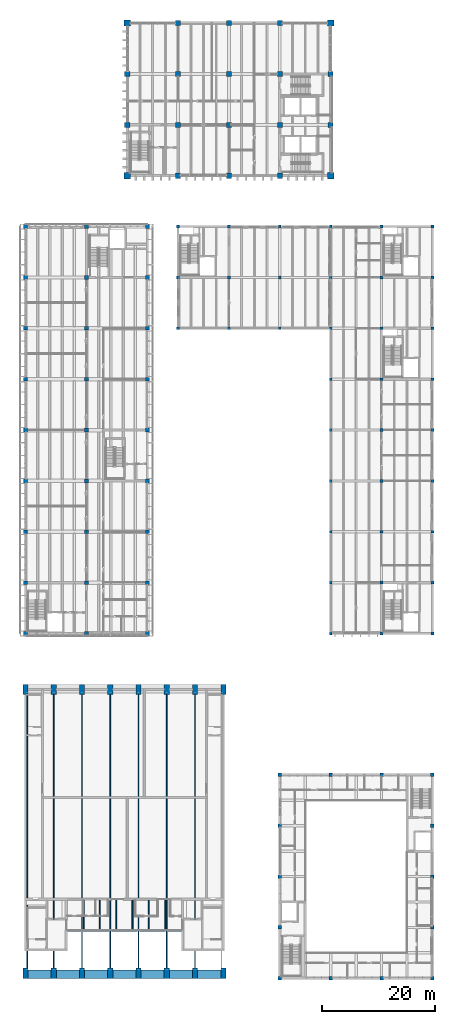
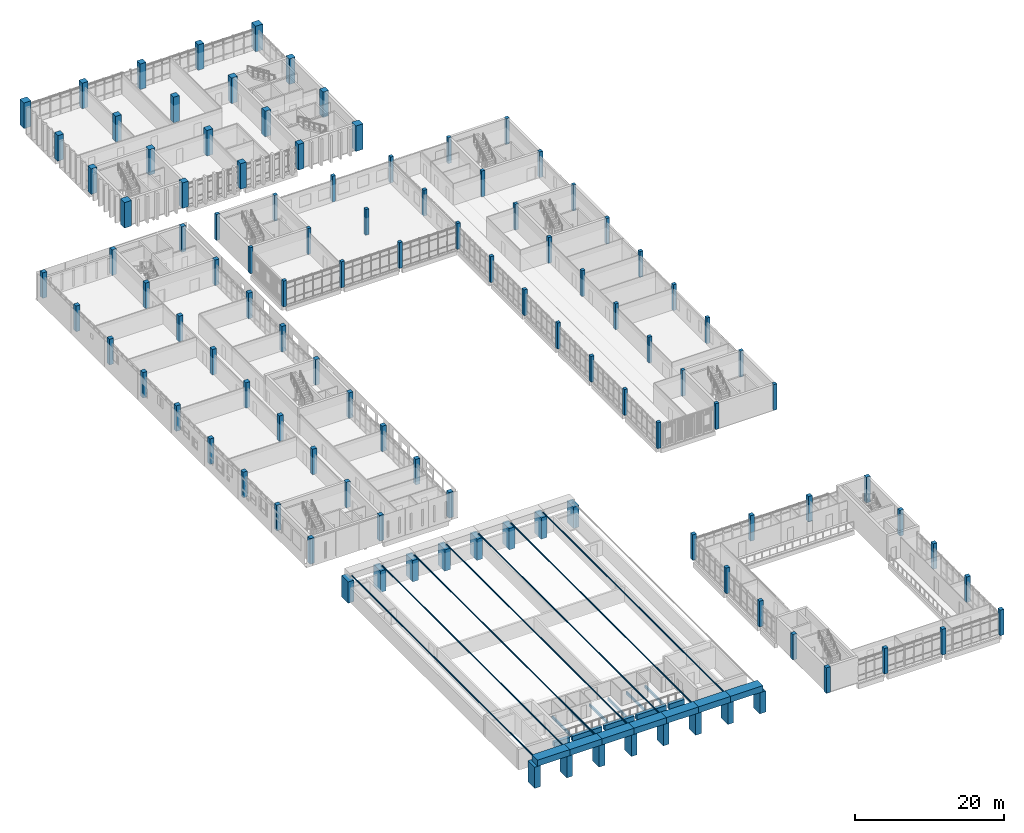
# One storey, part 1 of 92: 113 columns, 18 beams, 7 members.
"""IFC4 building model written with IfcOpenShell, lengths in metres."""

from ifc_helpers import new_model, si_unit, direction, frame, origin, origin_2d, place, context, subcontext, project, spatial, rectangle, hollow_circle, extrude, material, material_profile, profile_set, type_object, element, save


model = new_model("IFC4")

# Units and contexts
model_context = context("Model", 3, precision=1e-05, world=origin(), true_north=direction((0.0, 1.0)))
body_context = subcontext(model_context, "Body", "Model", "MODEL_VIEW")
ifc_project = project(units=[si_unit("LENGTHUNIT", "METRE"), si_unit("AREAUNIT", "SQUARE_METRE"), si_unit("VOLUMEUNIT", "CUBIC_METRE"), si_unit("PLANEANGLEUNIT", "RADIAN"), si_unit("MASSUNIT", "GRAM", prefix="KILO")], contexts=[model_context])

# Site, building, storey
site_placement = place(None, origin())
site = spatial("IfcSite", under=ifc_project, at=site_placement, CompositionType="ELEMENT")
building_placement = place(site_placement, origin())
building = spatial("IfcBuilding", under=site, at=building_placement, Name="Merrow Basin Faculty of Sciences", CompositionType="ELEMENT")
storey_placement = place(building_placement, frame((0.0, 0.0, 4.5)))
storey = spatial("IfcBuildingStorey", under=building, at=storey_placement, Name="L01", CompositionType="ELEMENT", Elevation=4.5)

# Columns
ifc_material_1 = material(Name="Concrete C50/60", Category="concrete")
ifc_material_profile_1 = material_profile(ifc_material_1, rectangle(XDim=1.10009765625, YDim=1.10009765625, at=origin_2d()))
ifc_profile_set_1 = profile_set([ifc_material_profile_1], Name="Concrete C50/60")
column_type_1 = type_object("IfcColumnType", Name="Column RC1100x1100 C50/60", PredefinedType="COLUMN", material=ifc_profile_set_1)
for number, where, z_axis, x_axis, name in (
    (1, (18.0, 142.0, 0.0), (0.0, 0.0, 1.0), (1.0, 0.0, 0.0), "Column S13 L01"),
    (2, (18.0, 169.0, 0.0), (0.0, 0.0, 1.0), (1.0, 0.0, 0.0), "Column S16 L01"),
    (3, (54.0, 142.0, 0.0), (0.0, 0.0, 1.0), (1.0, 0.0, 0.0), "Column G13 L01"),
    (4, (54.0, 169.0, 0.0), (0.0, 0.0, 1.0), (1.0, 0.0, 0.0), "Column G16 L01"),
):
    element("IfcColumn", number, at=place(storey_placement, frame(where, z_axis=z_axis, x_axis=x_axis)), inside=storey, type_object=column_type_1, Name=name, PredefinedType="COLUMN", context=body_context, shape_type="SweptSolid", body=[
        extrude(rectangle(XDim=1.10009765625, YDim=1.10009765625, at=origin_2d()), origin(), (0.0, 0.0, 1.0), 4.199951171875),
    ])
ifc_material_2 = material(Name="Concrete C40/50", Category="concrete")
ifc_material_profile_2 = material_profile(ifc_material_2, rectangle(XDim=0.5, YDim=0.5, at=origin_2d()))
ifc_profile_set_2 = profile_set([ifc_material_profile_2], Name="Concrete C40/50")
column_type_2 = type_object("IfcColumnType", Name="Column RC500x500 C40/50", PredefinedType="COLUMN", material=ifc_profile_set_2)
for number, where, z_axis, x_axis, name in (
    (5, (27.0, 115.0, 0.0), (0.0, 0.0, 1.0), (1.0, 0.0, 0.0), "Column D7 L01"),
    (6, (27.0, 124.0, 0.0), (0.0, 0.0, 1.0), (1.0, 0.0, 0.0), "Column D8 L01"),
    (7, (27.0, 133.0, 0.0), (0.0, 0.0, 1.0), (1.0, 0.0, 0.0), "Column D9 L01"),
    (8, (36.0, 115.0, 0.0), (0.0, 0.0, 1.0), (1.0, 0.0, 0.0), "Column E7 L01"),
    (9, (36.0, 124.0, 0.0), (0.0, 0.0, 1.0), (1.0, 0.0, 0.0), "Column E8 L01"),
    (10, (36.0, 133.0, 0.0), (0.0, 0.0, 1.0), (1.0, 0.0, 0.0), "Column E9 L01"),
    (11, (45.0, 115.0, 0.0), (0.0, 0.0, 1.0), (1.0, 0.0, 0.0), "Column F7 L01"),
    (12, (45.0, 124.0, 0.0), (0.0, 0.0, 1.0), (1.0, 0.0, 0.0), "Column F8 L01"),
    (13, (45.0, 133.0, 0.0), (0.0, 0.0, 1.0), (1.0, 0.0, 0.0), "Column F9 L01"),
    (14, (54.0, 61.0, 0.0), (0.0, 0.0, 1.0), (1.0, 0.0, 0.0), "Column G1 L01"),
    (15, (54.0, 70.0, 0.0), (0.0, 0.0, 1.0), (1.0, 0.0, 0.0), "Column G2 L01"),
    (16, (54.0, 79.0, 0.0), (0.0, 0.0, 1.0), (1.0, 0.0, 0.0), "Column G3 L01"),
    (17, (54.0, 88.0, 0.0), (0.0, 0.0, 1.0), (1.0, 0.0, 0.0), "Column G4 L01"),
    (18, (54.0, 97.0, 0.0), (0.0, 0.0, 1.0), (1.0, 0.0, 0.0), "Column G5 L01"),
    (19, (54.0, 106.0, 0.0), (0.0, 0.0, 1.0), (1.0, 0.0, 0.0), "Column G6 L01"),
    (20, (54.0, 115.0, 0.0), (0.0, 0.0, 1.0), (1.0, 0.0, 0.0), "Column G7 L01"),
    (21, (54.0, 124.0, 0.0), (0.0, 0.0, 1.0), (1.0, 0.0, 0.0), "Column G8 L01"),
    (22, (54.0, 133.0, 0.0), (0.0, 0.0, 1.0), (1.0, 0.0, 0.0), "Column G9 L01"),
    (23, (63.0, 61.0, 0.0), (0.0, 0.0, 1.0), (1.0, 0.0, 0.0), "Column H1 L01"),
    (24, (63.0, 70.0, 0.0), (0.0, 0.0, 1.0), (1.0, 0.0, 0.0), "Column H2 L01"),
    (25, (63.0, 79.0, 0.0), (0.0, 0.0, 1.0), (1.0, 0.0, 0.0), "Column H3 L01"),
    (26, (63.0, 88.0, 0.0), (0.0, 0.0, 1.0), (1.0, 0.0, 0.0), "Column H4 L01"),
    (27, (63.0, 97.0, 0.0), (0.0, 0.0, 1.0), (1.0, 0.0, 0.0), "Column H5 L01"),
    (28, (63.0, 106.0, 0.0), (0.0, 0.0, 1.0), (1.0, 0.0, 0.0), "Column H6 L01"),
    (29, (63.0, 115.0, 0.0), (0.0, 0.0, 1.0), (1.0, 0.0, 0.0), "Column H7 L01"),
    (30, (63.0, 124.0, 0.0), (0.0, 0.0, 1.0), (1.0, 0.0, 0.0), "Column H8 L01"),
    (31, (63.0, 133.0, 0.0), (0.0, 0.0, 1.0), (1.0, 0.0, 0.0), "Column H9 L01"),
    (32, (72.0, 61.0, 0.0), (0.0, 0.0, 1.0), (1.0, 0.0, 0.0), "Column J1 L01"),
    (33, (72.0, 70.0, 0.0), (0.0, 0.0, 1.0), (1.0, 0.0, 0.0), "Column J2 L01"),
    (34, (72.0, 79.0, 0.0), (0.0, 0.0, 1.0), (1.0, 0.0, 0.0), "Column J3 L01"),
    (35, (72.0, 88.0, 0.0), (0.0, 0.0, 1.0), (1.0, 0.0, 0.0), "Column J4 L01"),
    (36, (72.0, 97.0, 0.0), (0.0, 0.0, 1.0), (1.0, 0.0, 0.0), "Column J5 L01"),
    (37, (72.0, 106.0, 0.0), (0.0, 0.0, 1.0), (1.0, 0.0, 0.0), "Column J6 L01"),
    (38, (72.0, 115.0, 0.0), (0.0, 0.0, 1.0), (1.0, 0.0, 0.0), "Column J7 L01"),
    (39, (72.0, 124.0, 0.0), (0.0, 0.0, 1.0), (1.0, 0.0, 0.0), "Column J8 L01"),
    (40, (72.0, 133.0, 0.0), (0.0, 0.0, 1.0), (1.0, 0.0, 0.0), "Column J9 L01"),
):
    element("IfcColumn", number, at=place(storey_placement, frame(where, z_axis=z_axis, x_axis=x_axis)), inside=storey, type_object=column_type_2, Name=name, PredefinedType="COLUMN", context=body_context, shape_type="SweptSolid", body=[
        extrude(rectangle(XDim=0.5, YDim=0.5, at=origin_2d()), origin(), (0.0, 0.0, 1.0), 4.25),
    ])
ifc_material_3 = material(Name="Concrete C40/50", Category="concrete")
ifc_material_profile_3 = material_profile(ifc_material_3, rectangle(XDim=0.60009765625, YDim=0.60009765625, at=origin_2d()))
ifc_profile_set_3 = profile_set([ifc_material_profile_3], Name="Concrete C40/50")
column_type_3 = type_object("IfcColumnType", Name="Column RC600x600 C40/50", PredefinedType="COLUMN", material=ifc_profile_set_3)
for number, where, z_axis, x_axis, name in (
    (41, (45.0, 0.0, 0.0), (0.0, 0.0, 1.0), (1.0, 0.0, 0.0), "Column F10 L01"),
    (42, (45.0, 9.0, 0.0), (0.0, 0.0, 1.0), (1.0, 0.0, 0.0), "Column F L01"),
    (43, (45.0, 18.0, 0.0), (0.0, 0.0, 1.0), (1.0, 0.0, 0.0), "Column F L01"),
    (44, (45.0, 27.0, 0.0), (0.0, 0.0, 1.0), (1.0, 0.0, 0.0), "Column F L01"),
    (45, (45.0, 36.0, 0.0), (0.0, 0.0, 1.0), (1.0, 0.0, 0.0), "Column F11 L01"),
    (46, (54.0, 0.0, 0.0), (0.0, 0.0, 1.0), (1.0, 0.0, 0.0), "Column G10 L01"),
    (47, (54.0, 36.0, 0.0), (0.0, 0.0, 1.0), (1.0, 0.0, 0.0), "Column G11 L01"),
    (48, (63.0, 0.0, 0.0), (0.0, 0.0, 1.0), (1.0, 0.0, 0.0), "Column H10 L01"),
    (49, (63.0, 36.0, 0.0), (0.0, 0.0, 1.0), (1.0, 0.0, 0.0), "Column H11 L01"),
    (50, (72.0, 0.0, 0.0), (0.0, 0.0, 1.0), (1.0, 0.0, 0.0), "Column J10 L01"),
    (51, (72.0, 9.0, 0.0), (0.0, 0.0, 1.0), (1.0, 0.0, 0.0), "Column J L01"),
    (52, (72.0, 18.0, 0.0), (0.0, 0.0, 1.0), (1.0, 0.0, 0.0), "Column J L01"),
    (53, (72.0, 27.0, 0.0), (0.0, 0.0, 1.0), (1.0, 0.0, 0.0), "Column J L01"),
    (54, (72.0, 36.0, 0.0), (0.0, 0.0, 1.0), (1.0, 0.0, 0.0), "Column J11 L01"),
):
    element("IfcColumn", number, at=place(storey_placement, frame(where, z_axis=z_axis, x_axis=x_axis)), inside=storey, type_object=column_type_3, Name=name, PredefinedType="COLUMN", context=body_context, shape_type="SweptSolid", body=[
        extrude(rectangle(XDim=0.60009765625, YDim=0.60009765625, at=origin_2d()), origin(), (0.0, 0.0, 1.0), 4.199951171875),
    ])
ifc_material_4 = material(Name="Concrete C40/50", Category="concrete")
ifc_material_profile_4 = material_profile(ifc_material_4, rectangle(XDim=0.64990234375, YDim=0.64990234375, at=origin_2d()))
ifc_profile_set_4 = profile_set([ifc_material_profile_4], Name="Concrete C40/50")
column_type_4 = type_object("IfcColumnType", Name="Column RC650x650 C40/50", PredefinedType="COLUMN", material=ifc_profile_set_4)
for number, where, z_axis, x_axis, name in (
    (55, (0.0, 61.0, 0.0), (0.0, 0.0, 1.0), (1.0, 0.0, 0.0), "Column A1 L01"),
    (56, (0.0, 70.0, 0.0), (0.0, 0.0, 1.0), (1.0, 0.0, 0.0), "Column A2 L01"),
    (57, (0.0, 79.0, 0.0), (0.0, 0.0, 1.0), (1.0, 0.0, 0.0), "Column A3 L01"),
    (58, (0.0, 88.0, 0.0), (0.0, 0.0, 1.0), (1.0, 0.0, 0.0), "Column A4 L01"),
    (59, (0.0, 97.0, 0.0), (0.0, 0.0, 1.0), (1.0, 0.0, 0.0), "Column A5 L01"),
    (60, (0.0, 106.0, 0.0), (0.0, 0.0, 1.0), (1.0, 0.0, 0.0), "Column A6 L01"),
    (61, (0.0, 115.0, 0.0), (0.0, 0.0, 1.0), (1.0, 0.0, 0.0), "Column A7 L01"),
    (62, (0.0, 124.0, 0.0), (0.0, 0.0, 1.0), (1.0, 0.0, 0.0), "Column A8 L01"),
    (63, (0.0, 133.0, 0.0), (0.0, 0.0, 1.0), (1.0, 0.0, 0.0), "Column A9 L01"),
    (64, (10.800048828125, 61.0, 0.0), (0.0, 0.0, 1.0), (1.0, 0.0, 0.0), "Column B1 L01"),
    (65, (10.800048828125, 70.0, 0.0), (0.0, 0.0, 1.0), (1.0, 0.0, 0.0), "Column B2 L01"),
    (66, (10.800048828125, 79.0, 0.0), (0.0, 0.0, 1.0), (1.0, 0.0, 0.0), "Column B3 L01"),
    (67, (10.800048828125, 88.0, 0.0), (0.0, 0.0, 1.0), (1.0, 0.0, 0.0), "Column B4 L01"),
    (68, (10.800048828125, 97.0, 0.0), (0.0, 0.0, 1.0), (1.0, 0.0, 0.0), "Column B5 L01"),
    (69, (10.800048828125, 106.0, 0.0), (0.0, 0.0, 1.0), (1.0, 0.0, 0.0), "Column B6 L01"),
    (70, (10.800048828125, 115.0, 0.0), (0.0, 0.0, 1.0), (1.0, 0.0, 0.0), "Column B7 L01"),
    (71, (10.800048828125, 124.0, 0.0), (0.0, 0.0, 1.0), (1.0, 0.0, 0.0), "Column B8 L01"),
    (72, (10.800048828125, 133.0, 0.0), (0.0, 0.0, 1.0), (1.0, 0.0, 0.0), "Column B9 L01"),
    (73, (21.60009765625, 61.0, 0.0), (0.0, 0.0, 1.0), (1.0, 0.0, 0.0), "Column C1 L01"),
    (74, (21.60009765625, 70.0, 0.0), (0.0, 0.0, 1.0), (1.0, 0.0, 0.0), "Column C2 L01"),
    (75, (21.60009765625, 79.0, 0.0), (0.0, 0.0, 1.0), (1.0, 0.0, 0.0), "Column C3 L01"),
    (76, (21.60009765625, 88.0, 0.0), (0.0, 0.0, 1.0), (1.0, 0.0, 0.0), "Column C4 L01"),
    (77, (21.60009765625, 97.0, 0.0), (0.0, 0.0, 1.0), (1.0, 0.0, 0.0), "Column C5 L01"),
    (78, (21.60009765625, 106.0, 0.0), (0.0, 0.0, 1.0), (1.0, 0.0, 0.0), "Column C6 L01"),
    (79, (21.60009765625, 115.0, 0.0), (0.0, 0.0, 1.0), (1.0, 0.0, 0.0), "Column C7 L01"),
    (80, (21.60009765625, 124.0, 0.0), (0.0, 0.0, 1.0), (1.0, 0.0, 0.0), "Column C8 L01"),
    (81, (21.60009765625, 133.0, 0.0), (0.0, 0.0, 1.0), (1.0, 0.0, 0.0), "Column C9 L01"),
):
    element("IfcColumn", number, at=place(storey_placement, frame(where, z_axis=z_axis, x_axis=x_axis)), inside=storey, type_object=column_type_4, Name=name, PredefinedType="COLUMN", context=body_context, shape_type="SweptSolid", body=[
        extrude(rectangle(XDim=0.64990234375, YDim=0.64990234375, at=origin_2d()), origin(), (0.0, 0.0, 1.0), 4.199951171875),
    ])
ifc_material_5 = material(Name="Concrete C50/60", Category="concrete")
ifc_material_profile_5 = material_profile(ifc_material_5, rectangle(XDim=0.89990234375, YDim=1.800048828125, at=origin_2d()))
ifc_profile_set_5 = profile_set([ifc_material_profile_5], Name="Concrete C50/60")
column_type_5 = type_object("IfcColumnType", Name="Column RC900x1800 C50/60", PredefinedType="COLUMN", material=ifc_profile_set_5)
for number, where, z_axis, x_axis, name in (
    (82, (0.0, 0.89990234375, 0.0), (0.0, 0.0, 1.0), (1.0, 0.0, 0.0), "Column A L01"),
    (83, (0.0, 51.10009765625, 0.0), (0.0, 0.0, 1.0), (1.0, 0.0, 0.0), "Column A L01"),
    (84, (5.0, 0.89990234375, 0.0), (0.0, 0.0, 1.0), (1.0, 0.0, 0.0), "Column K L01"),
    (85, (5.0, 51.10009765625, 0.0), (0.0, 0.0, 1.0), (1.0, 0.0, 0.0), "Column K L01"),
    (86, (10.0, 0.89990234375, 0.0), (0.0, 0.0, 1.0), (1.0, 0.0, 0.0), "Column L L01"),
    (87, (10.0, 51.10009765625, 0.0), (0.0, 0.0, 1.0), (1.0, 0.0, 0.0), "Column L L01"),
    (88, (15.0, 0.89990234375, 0.0), (0.0, 0.0, 1.0), (1.0, 0.0, 0.0), "Column M L01"),
    (89, (15.0, 51.10009765625, 0.0), (0.0, 0.0, 1.0), (1.0, 0.0, 0.0), "Column M L01"),
    (90, (20.0, 0.89990234375, 0.0), (0.0, 0.0, 1.0), (1.0, 0.0, 0.0), "Column N L01"),
    (91, (20.0, 51.10009765625, 0.0), (0.0, 0.0, 1.0), (1.0, 0.0, 0.0), "Column N L01"),
    (92, (25.0, 0.89990234375, 0.0), (0.0, 0.0, 1.0), (1.0, 0.0, 0.0), "Column P L01"),
    (93, (25.0, 51.10009765625, 0.0), (0.0, 0.0, 1.0), (1.0, 0.0, 0.0), "Column P L01"),
    (94, (30.0, 0.89990234375, 0.0), (0.0, 0.0, 1.0), (1.0, 0.0, 0.0), "Column Q L01"),
    (95, (30.0, 51.10009765625, 0.0), (0.0, 0.0, 1.0), (1.0, 0.0, 0.0), "Column Q L01"),
    (96, (35.0, 0.89990234375, 0.0), (0.0, 0.0, 1.0), (1.0, 0.0, 0.0), "Column R L01"),
    (97, (35.0, 51.10009765625, 0.0), (0.0, 0.0, 1.0), (1.0, 0.0, 0.0), "Column R L01"),
):
    element("IfcColumn", number, at=place(storey_placement, frame(where, z_axis=z_axis, x_axis=x_axis)), inside=storey, type_object=column_type_5, Name=name, PredefinedType="COLUMN", context=body_context, shape_type="SweptSolid", body=[
        extrude(rectangle(XDim=0.89990234375, YDim=1.800048828125, at=origin_2d()), origin(), (0.0, 0.0, 1.0), 3.5),
    ])
ifc_material_6 = material(Name="Concrete C50/60", Category="concrete")
ifc_material_profile_6 = material_profile(ifc_material_6, rectangle(XDim=0.89990234375, YDim=0.89990234375, at=origin_2d()))
ifc_profile_set_6 = profile_set([ifc_material_profile_6], Name="Concrete C50/60")
column_type_6 = type_object("IfcColumnType", Name="Column RC900x900 C50/60", PredefinedType="COLUMN", material=ifc_profile_set_6)
for number, where, z_axis, x_axis, name in (
    (98, (18.0, 151.0, 0.0), (0.0, 0.0, 1.0), (1.0, 0.0, 0.0), "Column S14 L01"),
    (99, (18.0, 160.0, 0.0), (0.0, 0.0, 1.0), (1.0, 0.0, 0.0), "Column S15 L01"),
    (100, (27.0, 142.0, 0.0), (0.0, 0.0, 1.0), (1.0, 0.0, 0.0), "Column D13 L01"),
    (101, (27.0, 151.0, 0.0), (0.0, 0.0, 1.0), (1.0, 0.0, 0.0), "Column D14 L01"),
    (102, (27.0, 160.0, 0.0), (0.0, 0.0, 1.0), (1.0, 0.0, 0.0), "Column D15 L01"),
    (103, (27.0, 169.0, 0.0), (0.0, 0.0, 1.0), (1.0, 0.0, 0.0), "Column D16 L01"),
    (104, (36.0, 142.0, 0.0), (0.0, 0.0, 1.0), (1.0, 0.0, 0.0), "Column E13 L01"),
    (105, (36.0, 151.0, 0.0), (0.0, 0.0, 1.0), (1.0, 0.0, 0.0), "Column E14 L01"),
    (106, (36.0, 160.0, 0.0), (0.0, 0.0, 1.0), (1.0, 0.0, 0.0), "Column E15 L01"),
    (107, (36.0, 169.0, 0.0), (0.0, 0.0, 1.0), (1.0, 0.0, 0.0), "Column E16 L01"),
    (108, (45.0, 142.0, 0.0), (0.0, 0.0, 1.0), (1.0, 0.0, 0.0), "Column F13 L01"),
    (109, (45.0, 151.0, 0.0), (0.0, 0.0, 1.0), (1.0, 0.0, 0.0), "Column F14 L01"),
    (110, (45.0, 160.0, 0.0), (0.0, 0.0, 1.0), (1.0, 0.0, 0.0), "Column F15 L01"),
    (111, (45.0, 169.0, 0.0), (0.0, 0.0, 1.0), (1.0, 0.0, 0.0), "Column F16 L01"),
    (112, (54.0, 151.0, 0.0), (0.0, 0.0, 1.0), (1.0, 0.0, 0.0), "Column G14 L01"),
    (113, (54.0, 160.0, 0.0), (0.0, 0.0, 1.0), (1.0, 0.0, 0.0), "Column G15 L01"),
):
    element("IfcColumn", number, at=place(storey_placement, frame(where, z_axis=z_axis, x_axis=x_axis)), inside=storey, type_object=column_type_6, Name=name, PredefinedType="COLUMN", context=body_context, shape_type="SweptSolid", body=[
        extrude(rectangle(XDim=0.89990234375, YDim=0.89990234375, at=origin_2d()), origin(), (0.0, 0.0, 1.0), 4.199951171875),
    ])

# Beams
ifc_material_7 = material(Name="Concrete C50/60", Category="concrete")
ifc_material_profile_7 = material_profile(ifc_material_7, rectangle(XDim=1.5, YDim=1.0, at=origin_2d()))
ifc_profile_set_7 = profile_set([ifc_material_profile_7], Name="Concrete C50/60")
beam_type_1 = type_object("IfcBeamType", Name="Edge beam RC1500x1000 C50/60", PredefinedType="BEAM", material=ifc_profile_set_7)
for number, where, z_axis, x_axis, name in (
    (114, (0.0, 0.75, 4.0), (1.0, 0.0, 0.0), (0.0, 1.0, 0.0), "Edge beam S 001"),
    (115, (5.0, 0.75, 4.0), (1.0, 0.0, 0.0), (0.0, 1.0, 0.0), "Edge beam S 002"),
    (116, (10.0, 0.75, 4.0), (1.0, 0.0, 0.0), (0.0, 1.0, 0.0), "Edge beam S 003"),
    (117, (15.0, 0.75, 4.0), (1.0, 0.0, 0.0), (0.0, 1.0, 0.0), "Edge beam S 004"),
    (118, (20.0, 0.75, 4.0), (1.0, 0.0, 0.0), (0.0, 1.0, 0.0), "Edge beam S 005"),
    (119, (25.0, 0.75, 4.0), (1.0, 0.0, 0.0), (0.0, 1.0, 0.0), "Edge beam S 006"),
    (120, (30.0, 0.75, 4.0), (1.0, 0.0, 0.0), (0.0, 1.0, 0.0), "Edge beam S 007"),
):
    element("IfcBeam", number, at=place(storey_placement, frame(where, z_axis=z_axis, x_axis=x_axis)), inside=storey, type_object=beam_type_1, Name=name, PredefinedType="BEAM", context=body_context, shape_type="SweptSolid", body=[
        extrude(rectangle(XDim=1.5, YDim=1.0, at=origin_2d()), origin(), (0.0, 0.0, 1.0), 5.0),
    ])
ifc_material_8 = material(Name="Concrete C40/50", Category="concrete")
ifc_material_profile_8 = material_profile(ifc_material_8, rectangle(XDim=0.5, YDim=0.800048828125, at=origin_2d()))
ifc_profile_set_8 = profile_set([ifc_material_profile_8], Name="Concrete C40/50")
beam_type_2 = type_object("IfcBeamType", Name="Gallery beam RC500x800 C40/50", PredefinedType="BEAM", material=ifc_profile_set_8)
beam_1_placement = place(storey_placement, frame((7.39990234375, 8.5, -0.580078125), z_axis=(1.0, 0.0, 0.0), x_axis=(0.0, 1.0, 0.0)))
element("IfcBeam", 121, at=beam_1_placement, inside=storey, type_object=beam_type_2, Name="B6 L01 001", PredefinedType="BEAM", context=body_context, shape_type="SweptSolid", body=[
    extrude(rectangle(XDim=0.5, YDim=0.800048828125, at=origin_2d()), origin(), (0.0, 0.0, 1.0), 2.400146484375),
])
for number, where, z_axis, x_axis, name in (
    (122, (10.199951171875, 8.5, -0.580078125), (1.0, 0.0, 0.0), (0.0, 1.0, 0.0), "B6 L01 002"),
    (123, (15.199951171875, 8.5, -0.580078125), (1.0, 0.0, 0.0), (0.0, 1.0, 0.0), "B6 L01 003"),
    (124, (20.199951171875, 8.5, -0.580078125), (1.0, 0.0, 0.0), (0.0, 1.0, 0.0), "B6 L01 004"),
):
    element("IfcBeam", number, at=place(storey_placement, frame(where, z_axis=z_axis, x_axis=x_axis)), inside=storey, type_object=beam_type_2, Name=name, PredefinedType="BEAM", context=body_context, shape_type="SweptSolid", body=[
        extrude(rectangle(XDim=0.5, YDim=0.800048828125, at=origin_2d()), origin(), (0.0, 0.0, 1.0), 4.60009765625),
    ])
beam_2_placement = place(storey_placement, frame((25.199951171875, 8.5, -0.580078125), z_axis=(1.0, 0.0, 0.0), x_axis=(0.0, 1.0, 0.0)))
element("IfcBeam", 125, at=beam_2_placement, inside=storey, type_object=beam_type_2, Name="B6 L01 005", PredefinedType="BEAM", context=body_context, shape_type="SweptSolid", body=[
    extrude(rectangle(XDim=0.5, YDim=0.800048828125, at=origin_2d()), origin(), (0.0, 0.0, 1.0), 2.400146484375),
])
ifc_material_9 = material(Name="Concrete C40/50", Category="concrete")
ifc_material_profile_9 = material_profile(ifc_material_9, rectangle(XDim=0.199951171875, YDim=0.449951171875, at=origin_2d()))
ifc_profile_set_9 = profile_set([ifc_material_profile_9], Name="Concrete C40/50")
beam_type_3 = type_object("IfcBeamType", Name="Gallery joist RC200x450 C40/50", PredefinedType="BEAM", material=ifc_profile_set_9)
for number, where, z_axis, x_axis, name in (
    (126, (10.285888671875, 8.75, -0.405029296875), (0.0, 1.0, 0.0), (-1.0, 0.0, 0.0), "JG1 L01 006"),
    (127, (13.1708984375, 8.75, -0.405029296875), (0.0, 1.0, 0.0), (-1.0, 0.0, 0.0), "JG1 L01 007"),
    (128, (16.056884765625, 8.75, -0.405029296875), (0.0, 1.0, 0.0), (-1.0, 0.0, 0.0), "JG1 L01 008"),
    (129, (18.943115234375, 8.75, -0.405029296875), (0.0, 1.0, 0.0), (-1.0, 0.0, 0.0), "JG1 L01 009"),
    (130, (21.8291015625, 8.75, -0.405029296875), (0.0, 1.0, 0.0), (-1.0, 0.0, 0.0), "JG1 L01 010"),
    (131, (24.714111328125, 8.75, -0.405029296875), (0.0, 1.0, 0.0), (-1.0, 0.0, 0.0), "JG1 L01 011"),
):
    element("IfcBeam", number, at=place(storey_placement, frame(where, z_axis=z_axis, x_axis=x_axis)), inside=storey, type_object=beam_type_3, Name=name, PredefinedType="BEAM", context=body_context, shape_type="SweptSolid", body=[
        extrude(rectangle(XDim=0.199951171875, YDim=0.449951171875, at=origin_2d()), origin(), (0.0, 0.0, 1.0), 5.10009765625),
    ])

# Members
ifc_material_10 = material(Name="Steel ASTM A500 Gr C", Category="steel")
ifc_material_profile_10 = material_profile(ifc_material_10, hollow_circle(Radius=0.109619140625, WallThickness=0.0126953125, at=origin_2d()))
ifc_profile_set_10 = profile_set([ifc_material_profile_10], Name="Steel ASTM A500 Gr C")
member_type = type_object("IfcMemberType", Name="Tie CHS219x12.7", PredefinedType="USERDEFINED", material=ifc_profile_set_10)
for number, where, z_axis, x_axis, name in (
    (132, (0.300048828125, 1.51611328125, 4.10009765625), (0.0, 1.0, 0.0), (-1.0, 0.0, 0.0), "Tie A"),
    (133, (5.0, 1.51611328125, 4.10009765625), (0.0, 1.0, 0.0), (-1.0, 0.0, 0.0), "Tie K"),
    (134, (10.0, 1.51611328125, 4.10009765625), (0.0, 1.0, 0.0), (-1.0, 0.0, 0.0), "Tie L"),
    (135, (15.0, 1.51611328125, 4.10009765625), (0.0, 1.0, 0.0), (-1.0, 0.0, 0.0), "Tie M"),
    (136, (20.0, 1.51611328125, 4.10009765625), (0.0, 1.0, 0.0), (-1.0, 0.0, 0.0), "Tie N"),
    (137, (25.0, 1.51611328125, 4.10009765625), (0.0, 1.0, 0.0), (-1.0, 0.0, 0.0), "Tie P"),
    (138, (30.0, 1.51611328125, 4.10009765625), (0.0, 1.0, 0.0), (-1.0, 0.0, 0.0), "Tie Q"),
):
    element("IfcMember", number, at=place(storey_placement, frame(where, z_axis=z_axis, x_axis=x_axis)), inside=storey, type_object=member_type, Name=name, ObjectType="TIE", PredefinedType="USERDEFINED", context=body_context, shape_type="SweptSolid", body=[
        extrude(hollow_circle(Radius=0.109619140625, WallThickness=0.0126953125, at=origin_2d()), origin(), (0.0, 0.0, 1.0), 48.9677734375),
    ])

save(model, "model.ifc")
